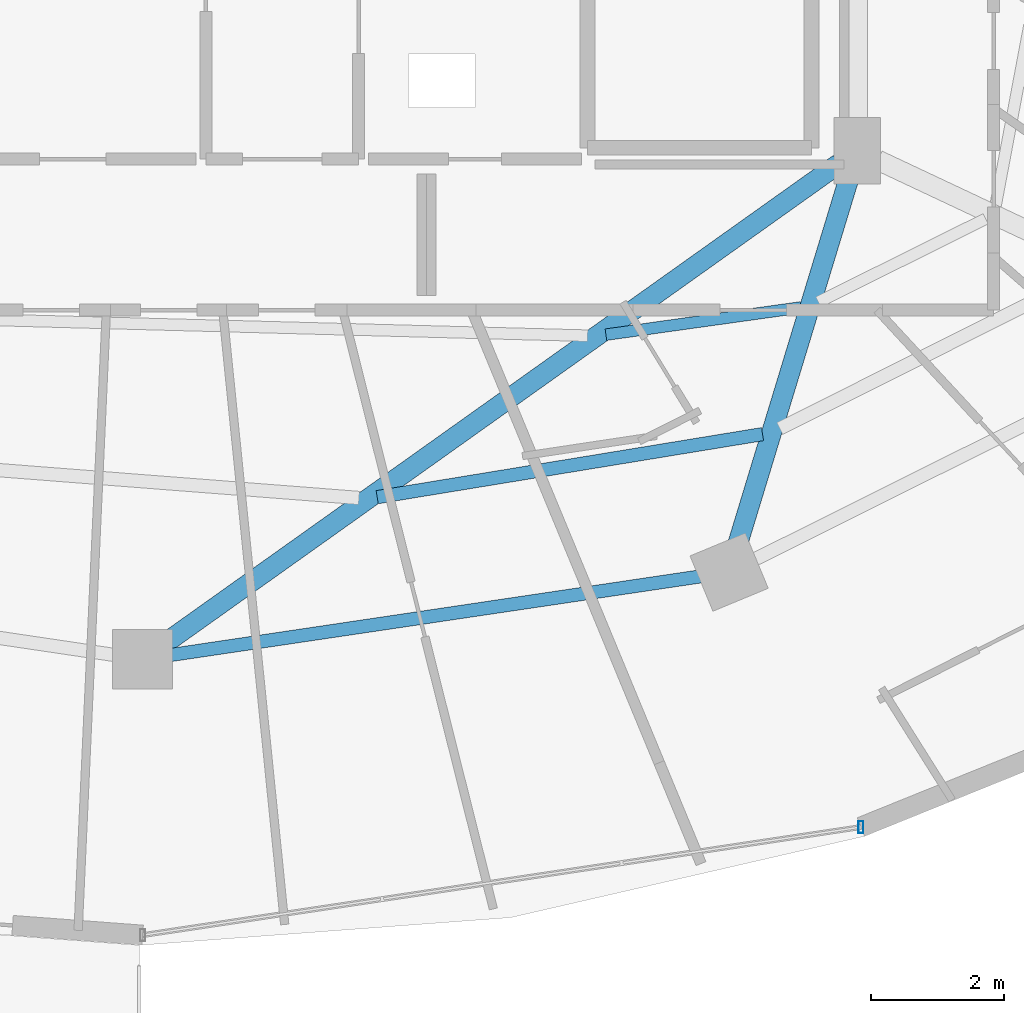
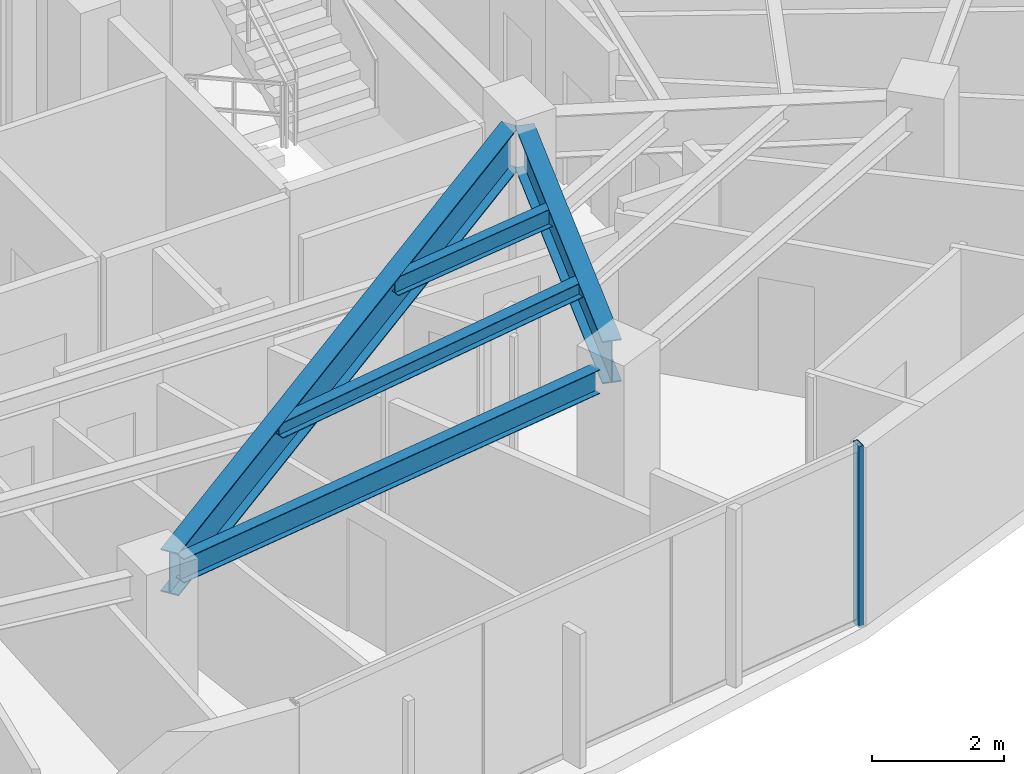
# One storey, part 11 of 33: 5 beams, 1 member, 1 element without a shape of its own.
"""IFC4 building model written with IfcOpenShell, lengths in metres."""

from ifc_helpers import new_model, si_unit, direction, frame, origin, origin_2d, place, context, subcontext, project, spatial, hollow_rectangle, i_section, extrude, material, material_profile, profile_set, type_object, element, aggregate, save


model = new_model("IFC4")

# Units and contexts
model_context = context("Model", 3, precision=1e-05, world=origin(), true_north=direction((0.0, 1.0)))
body_context = subcontext(model_context, "Body", "Model", "MODEL_VIEW")
ifc_project = project(units=[si_unit("LENGTHUNIT", "METRE"), si_unit("AREAUNIT", "SQUARE_METRE"), si_unit("VOLUMEUNIT", "CUBIC_METRE"), si_unit("PLANEANGLEUNIT", "RADIAN"), si_unit("MASSUNIT", "GRAM", prefix="KILO")], contexts=[model_context])

# Site, building, storey
site_placement = place(None, origin())
site = spatial("IfcSite", under=ifc_project, at=site_placement, CompositionType="ELEMENT")
building_placement = place(site_placement, origin())
building = spatial("IfcBuilding", under=site, at=building_placement, Name="Vorneva Point Tower", CompositionType="ELEMENT")
storey_placement = place(building_placement, frame((0.0, 0.0, 217.85009765625)))
storey = spatial("IfcBuildingStorey", under=building, at=storey_placement, Name="L59", CompositionType="ELEMENT", Elevation=217.85009765625)

# Beams
ifc_material_1 = material(Name="Steel S355", Category="steel")
ifc_material_profile_1 = material_profile(ifc_material_1, i_section(OverallWidth=0.300048828125, OverallDepth=0.7880859375, WebThickness=0.014404296875, FlangeThickness=0.02197265625, at=origin_2d()), Name="80Sh1")
ifc_profile_set_1 = profile_set([ifc_material_profile_1], Name="Steel S355")
beam_type_1 = type_object("IfcBeamType", Name="BM-GRD-80Sh1", PredefinedType="USERDEFINED", material=ifc_profile_set_1)
beam_1_placement = place(storey_placement, frame((38.35693359375, 9.053955078125, 2.89599609375), z_axis=(0.814749933852, 0.579812508737, 0.0), x_axis=(-0.579812508737, 0.814749933852, 0.0)))
element("IfcBeam", 1, at=beam_1_placement, inside=storey, type_object=beam_type_1, Name="L59 Radial Primary Girder 13", ObjectType="GIRDER", PredefinedType="USERDEFINED", context=body_context, shape_type="SweptSolid", body=[
    extrude(i_section(OverallWidth=0.300048828125, OverallDepth=0.7880859375, WebThickness=0.014404296875, FlangeThickness=0.02197265625, at=origin_2d()), origin(), (0.0, 0.0, 1.0), 12.416015625),
])
beam_2_placement = place(storey_placement, frame((46.948486328125, 10.5283203125, 2.89599609375), z_axis=(0.291025429135, 0.956715317948, 0.0), x_axis=(-0.956715317948, 0.291025429135, 0.0)))
element("IfcBeam", 2, at=beam_2_placement, inside=storey, type_object=beam_type_1, Name="L59 Radial Primary Girder 14", ObjectType="GIRDER", PredefinedType="USERDEFINED", context=body_context, shape_type="SweptSolid", body=[
    extrude(i_section(OverallWidth=0.300048828125, OverallDepth=0.7880859375, WebThickness=0.014404296875, FlangeThickness=0.02197265625, at=origin_2d()), origin(), (0.0, 0.0, 1.0), 5.849609375),
])
ifc_material_profile_2 = material_profile(ifc_material_1, i_section(OverallWidth=0.199951171875, OverallDepth=0.291015625, WebThickness=0.008056640625, FlangeThickness=0.010986328125, at=origin_2d()), Name="30Sh1")
ifc_profile_set_2 = profile_set([ifc_material_profile_2], Name="Steel S355")
beam_type_2 = type_object("IfcBeamType", Name="BM-SEC-30Sh1", PredefinedType="BEAM", material=ifc_profile_set_2)
beam_3_placement = place(storey_placement, frame((41.52783203125, 11.236083984375, 3.144287109375), z_axis=(0.986862894909, 0.161559978498, 0.0), x_axis=(-0.161559978498, 0.986862894909, 0.0)))
element("IfcBeam", 3, at=beam_3_placement, inside=storey, type_object=beam_type_2, Name="L59 Secondary Floor Beam 1.13", PredefinedType="BEAM", context=body_context, shape_type="SweptSolid", body=[
    extrude(i_section(OverallWidth=0.199951171875, OverallDepth=0.291015625, WebThickness=0.008056640625, FlangeThickness=0.010986328125, at=origin_2d()), origin(), (0.0, 0.0, 1.0), 5.872314453125),
])
ifc_material_profile_3 = material_profile(ifc_material_1, i_section(OverallWidth=0.174072265625, OverallDepth=0.345947265625, WebThickness=0.006103515625, FlangeThickness=0.009033203125, at=origin_2d()), Name="35B1")
ifc_profile_set_3 = profile_set([ifc_material_profile_3], Name="Steel S355")
beam_type_3 = type_object("IfcBeamType", Name="BM-SEC-35B1", PredefinedType="BEAM", material=ifc_profile_set_3)
beam_4_placement = place(storey_placement, frame((44.968017578125, 13.680419921875, 3.116943359375), z_axis=(0.990354192347, 0.138558917797, 0.0), x_axis=(-0.138558917797, 0.990354192347, 0.0)))
element("IfcBeam", 4, at=beam_4_placement, inside=storey, type_object=beam_type_3, Name="L59 Secondary Floor Beam 2.13", PredefinedType="BEAM", context=body_context, shape_type="SweptSolid", body=[
    extrude(i_section(OverallWidth=0.174072265625, OverallDepth=0.345947265625, WebThickness=0.006103515625, FlangeThickness=0.009033203125, at=origin_2d()), origin(), (0.0, 0.0, 1.0), 2.9619140625),
])
ifc_material_profile_4 = material_profile(ifc_material_1, i_section(OverallWidth=0.198974609375, OverallDepth=0.446044921875, WebThickness=0.008056640625, FlangeThickness=0.011962890625, at=origin_2d()), Name="45B1")
ifc_profile_set_4 = profile_set([ifc_material_profile_4], Name="Steel S355")
beam_type_4 = type_object("IfcBeamType", Name="BM-SPN-45B1", PredefinedType="SPANDREL", material=ifc_profile_set_4)
beam_5_placement = place(storey_placement, frame((38.430419921875, 8.864013671875, 3.06689453125), z_axis=(0.989165476332, 0.146804837907, 0.0), x_axis=(-0.146804837907, 0.989165476332, 0.0)))
element("IfcBeam", 5, at=beam_5_placement, inside=storey, type_object=beam_type_4, Name="L59 Perimeter Spandrel Ring Beam 13", PredefinedType="SPANDREL", context=body_context, shape_type="SweptSolid", body=[
    extrude(i_section(OverallWidth=0.198974609375, OverallDepth=0.446044921875, WebThickness=0.008056640625, FlangeThickness=0.011962890625, at=origin_2d()), origin(), (0.0, 0.0, 1.0), 8.04736328125),
])

# Curtain wall, member
ifc_material_2 = material(Name="Pale anodised aluminium", Category="aluminium")
curtain_wall_type = type_object("IfcCurtainWallType", Name="CW-RES-SYS", PredefinedType="NOTDEFINED", material=ifc_material_2)
curtain_wall_placement = place(storey_placement, origin())
curtain_wall = element("IfcCurtainWall", 6, at=curtain_wall_placement, inside=storey, type_object=curtain_wall_type, Name="L59 Unitised Curtain Wall CW-L59-R03", PredefinedType="NOTDEFINED")
ifc_material_profile_5 = material_profile(ifc_material_2, hollow_rectangle(XDim=0.074951171875, YDim=0.179931640625, WallThickness=0.00390625, at=origin_2d()), Name="AL-MUL 180x75x4")
ifc_profile_set_5 = profile_set([ifc_material_profile_5], Name="Pale anodised aluminium")
member_type = type_object("IfcMemberType", Name="CW-MUL-180", PredefinedType="MULLION", material=ifc_profile_set_5)
member_placement = place(storey_placement, frame((48.80322265625, 6.275146484375, -0.0400390625), z_axis=(0.0, 0.0, 1.0), x_axis=(1.0, 0.0, 0.0)))
member = element("IfcMember", 7, at=member_placement, type_object=member_type, Name="CW-L59-R03 Mullion 02", PredefinedType="MULLION", context=body_context, shape_type="SweptSolid", body=[
    extrude(hollow_rectangle(XDim=0.074951171875, YDim=0.179931640625, WallThickness=0.00390625, at=origin_2d()), origin(), (0.0, 0.0, 1.0), 3.35986328125),
])
aggregate(curtain_wall, [member])

save(model, "model.ifc")
